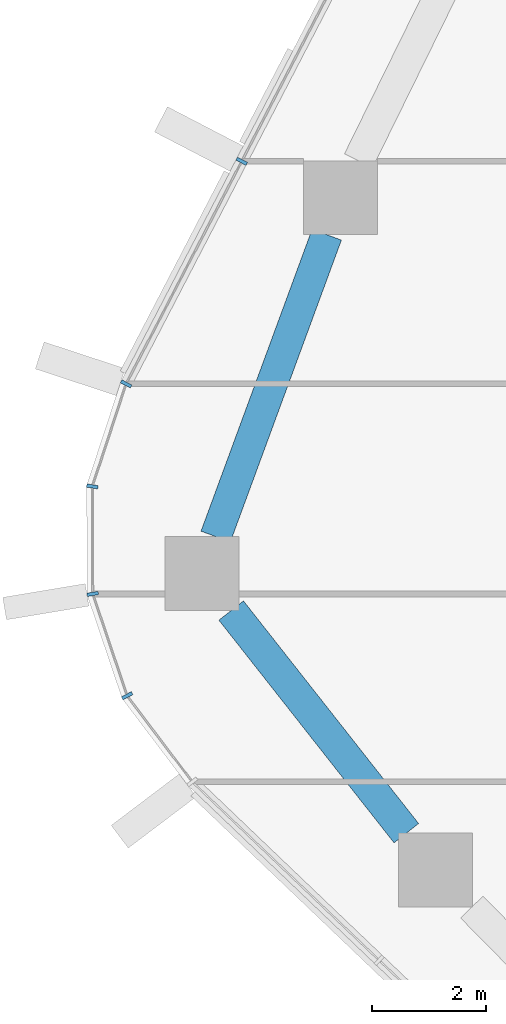
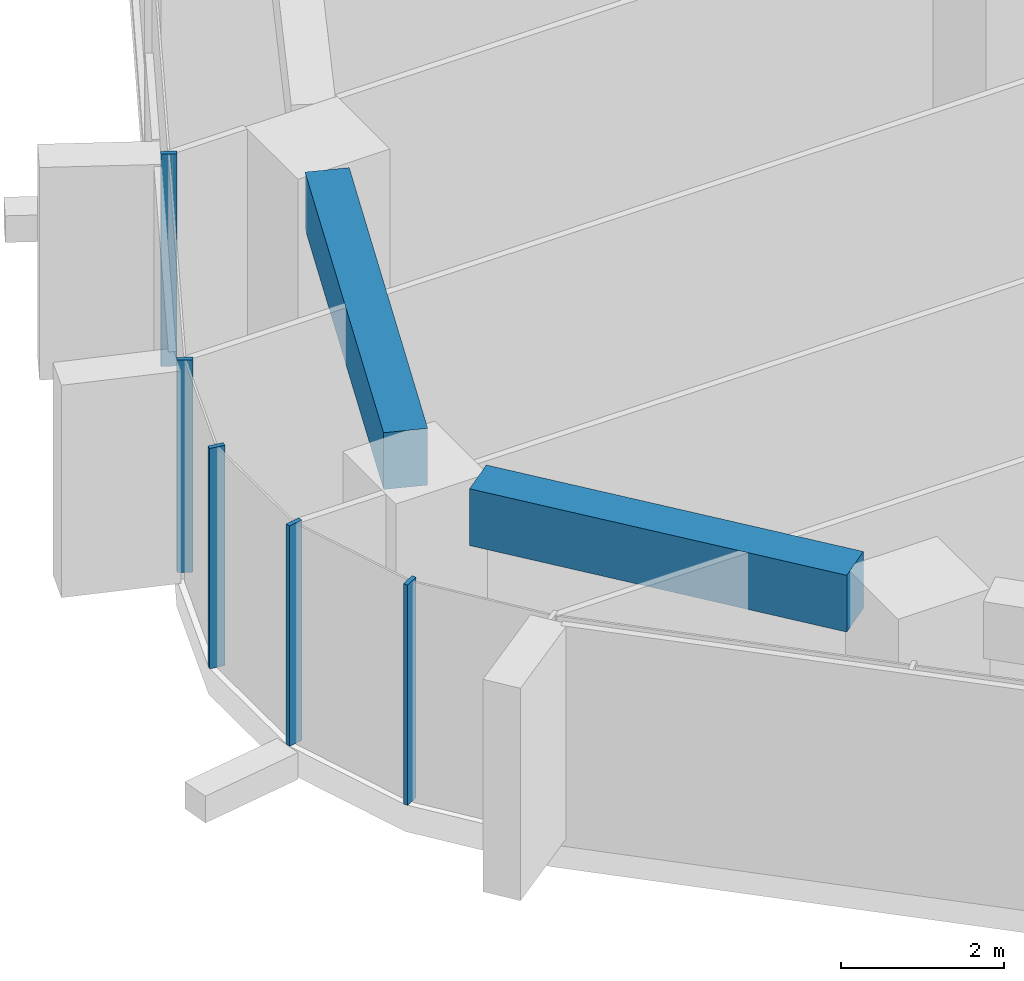
# One storey, part 3 of 24: 5 members, 2 beams, 2 elements without a shape of their own.
"""IFC4 building model written with IfcOpenShell, lengths in metres."""

import ifcopenshell
import ifcopenshell.guid

model = None  # the IFC model being written
_history = None  # IfcOwnerHistory: only IFC2X3 demands one
_inside = {}  # id of a spatial element -> (the spatial element, [elements in it])
_under = {}  # id of a project, library or spatial element -> (it, [spatial elements below it])
_declared = {}  # id of a project -> (the project, [libraries it declares])
_typed = {}  # id of a type object -> (the type object, [elements of that type])
_made_of = {}  # id of a material, layer set ... -> (it, [elements and type objects made of it])


def new_model(schema):
    """Start an empty IFC model of exactly this schema.

    Asked for "IFC4X3", IfcOpenShell would pick the latest addendum, in which some entities
    have other attributes; the version numbers below select the first issue.
    IFC2X3 requires an IfcOwnerHistory on every rooted entity: one is made here for all.
    """
    global model, _history
    if schema == "IFC4X3":
        model = ifcopenshell.file(schema_version=(4, 3, 0, 0))
    else:
        model = ifcopenshell.file(schema=schema)
    _inside.clear()
    _under.clear()
    _declared.clear()
    _typed.clear()
    _made_of.clear()
    _history = None
    if model.schema == "IFC2X3":
        org = make("IfcOrganization", Name="unknown")
        user = make(
            "IfcPersonAndOrganization",
            ThePerson=make("IfcPerson", FamilyName="unknown"),
            TheOrganization=org,
        )
        app = make(
            "IfcApplication",
            ApplicationDeveloper=org,
            Version="unknown",
            ApplicationFullName="unknown",
            ApplicationIdentifier="unknown",
        )
        _history = make(
            "IfcOwnerHistory",
            OwningUser=user,
            OwningApplication=app,
            ChangeAction="ADDED",
            CreationDate=0,
        )
    return model


def make(cls, **values):
    """One entity of the class cls with the attributes given. An attribute that is None is left unset."""
    return model.create_entity(
        cls, **{name: value for name, value in values.items() if value is not None}
    )


def rooted(cls, **values):
    """An entity with a GlobalId (a new one), such as an element, a storey or a relation."""
    return make(cls, GlobalId=ifcopenshell.guid.new(), OwnerHistory=_history, **values)


def si_unit(unit_type, name, prefix=None):
    """IfcSIUnit, for example si_unit("LENGTHUNIT", "METRE", prefix="MILLI")."""
    return make("IfcSIUnit", UnitType=unit_type, Prefix=prefix, Name=name)


def assignment(units):
    """IfcUnitAssignment: the units of a project."""
    return None if units is None else make("IfcUnitAssignment", Units=units)


def point(xyz):
    """IfcCartesianPoint."""
    return None if xyz is None else make("IfcCartesianPoint", Coordinates=xyz)


def direction(xyz):
    """IfcDirection."""
    return None if xyz is None else make("IfcDirection", DirectionRatios=xyz)


def frame(location, z_axis=None, x_axis=None):
    """IfcAxis2Placement3D, a coordinate frame: its origin and axes. An axis left out is left unset."""
    return make(
        "IfcAxis2Placement3D",
        Location=point(location),
        Axis=direction(z_axis),
        RefDirection=direction(x_axis),
    )


def frame_2d(location, x_axis=None):
    """IfcAxis2Placement2D, a coordinate frame in the plane: its origin and x axis."""
    return make(
        "IfcAxis2Placement2D", Location=point(location), RefDirection=direction(x_axis)
    )


def origin():
    """The frame at (0, 0, 0) with its axes left unset."""
    return frame((0.0, 0.0, 0.0))


def origin_2d():
    """The frame at (0, 0) in the plane with its x axis left unset."""
    return frame_2d((0.0, 0.0))


def place(relative_to, where):
    """IfcLocalPlacement: puts the frame where relative to a parent placement (None: the world)."""
    return make(
        "IfcLocalPlacement", PlacementRelTo=relative_to, RelativePlacement=where
    )


def context(
    kind, dimensions, precision=None, world=None, true_north=None, identifier=None
):
    """IfcGeometricRepresentationContext, for example the 3D "Model" context."""
    return make(
        "IfcGeometricRepresentationContext",
        ContextIdentifier=identifier,
        ContextType=kind,
        CoordinateSpaceDimension=dimensions,
        Precision=precision,
        WorldCoordinateSystem=world,
        TrueNorth=true_north,
    )


def subcontext(parent, identifier, kind, view, scale=None):
    """IfcGeometricRepresentationSubContext, for example "Body" below "Model"."""
    return make(
        "IfcGeometricRepresentationSubContext",
        ContextIdentifier=identifier,
        ContextType=kind,
        ParentContext=parent,
        TargetScale=scale,
        TargetView=view,
    )


def project(units=None, contexts=None):
    """IfcProject with its units and contexts."""
    return rooted(
        "IfcProject",
        Name="project",
        RepresentationContexts=contexts,
        UnitsInContext=assignment(units),
    )


def spatial(cls, under=None, at=None, **own):
    """A site, building, storey or space (cls), placed at a placement, below another one or the project."""
    s = rooted(cls, ObjectPlacement=at, **own)
    if under is not None:
        _under.setdefault(under.id(), (under, []))[1].append(s)
    return s


def profile(cls, at=None, kind="AREA", **sizes):
    """A parametric profile (cls). Its sizes go by their IFC names, for example OverallWidth=200.0."""
    return make(cls, ProfileType=kind, Position=at, **sizes)


def rectangle(**sizes):
    """IfcRectangleProfileDef."""
    return profile("IfcRectangleProfileDef", **sizes)


def extrude(swept, where, along, depth):
    """IfcExtrudedAreaSolid: the profile swept, set in the frame where, extruded along a direction by depth."""
    return make(
        "IfcExtrudedAreaSolid",
        SweptArea=swept,
        Position=where,
        ExtrudedDirection=direction(along),
        Depth=depth,
    )


def shape(context_of_items, identifier, shape_type, items):
    """IfcShapeRepresentation: the items that make up one representation, for example the "Body"."""
    return make(
        "IfcShapeRepresentation",
        ContextOfItems=context_of_items,
        RepresentationIdentifier=identifier,
        RepresentationType=shape_type,
        Items=items,
    )


def material(Name=None, Category=None):
    """IfcMaterial."""
    return make("IfcMaterial", Name=Name, Category=Category)


def layer(
    of_material, thickness, ventilated=None, Name=None, Category=None, Priority=None
):
    """IfcMaterialLayer: one layer of a wall or slab, of a material (None: an air gap)."""
    return make(
        "IfcMaterialLayer",
        Material=of_material,
        LayerThickness=thickness,
        IsVentilated=ventilated,
        Name=Name,
        Category=Category,
        Priority=Priority,
    )


def layer_set(layers, Name=None):
    """IfcMaterialLayerSet."""
    return make("IfcMaterialLayerSet", MaterialLayers=layers, LayerSetName=Name)


def material_profile(
    of_material, cross_section, Name=None, Category=None, Priority=None
):
    """IfcMaterialProfile: a cross section and its material."""
    return make(
        "IfcMaterialProfile",
        Name=Name,
        Material=of_material,
        Profile=cross_section,
        Priority=Priority,
        Category=Category,
    )


def profile_set(profiles, Name=None, composite=None):
    """IfcMaterialProfileSet."""
    return make(
        "IfcMaterialProfileSet",
        Name=Name,
        MaterialProfiles=profiles,
        CompositeProfile=composite,
    )


def made_of(thing, what):
    """Note that an element or type object is made of a material, layer set ...; save() writes the relation."""
    if what is not None:
        _made_of.setdefault(what.id(), (what, []))[1].append(thing)
    return thing


def type_object(cls, material=None, **own):
    """A type object (cls), such as IfcWallType, which elements share."""
    return made_of(rooted(cls, **own), material)


def element(
    cls,
    number,
    at=None,
    inside=None,
    cuts=None,
    type_object=None,
    material=None,
    context=None,
    identifier="Body",
    shape_type=None,
    held_by="IfcProductDefinitionShape",
    body=None,
    shapes=None,
    **own,
):
    """One element of the class cls, such as IfcWall. Its Tag is "e" and its number.

    at: its placement. inside: the storey or other place that contains it. cuts: it is an
    opening in that element (IfcRelVoidsElement). A single representation is given by context,
    identifier, shape_type and body (its items); several are given by shapes. held_by: the class
    of the entity that holds the representations. save() writes the other relations.
    """
    e = rooted(cls, Tag="e%d" % number, ObjectPlacement=at, **own)
    if body is not None:
        shapes = [shape(context, identifier, shape_type, body)]
    if shapes is not None:
        e.Representation = make(held_by, Representations=shapes)
    if inside is not None:
        _inside.setdefault(inside.id(), (inside, []))[1].append(e)
    if cuts is not None:
        rooted(
            "IfcRelVoidsElement", RelatingBuildingElement=cuts, RelatedOpeningElement=e
        )
    if type_object is not None:
        _typed.setdefault(type_object.id(), (type_object, []))[1].append(e)
    return made_of(e, material)


def aggregate(whole, parts):
    """IfcRelAggregates: a whole, such as a stair, and the parts it consists of."""
    return rooted("IfcRelAggregates", RelatingObject=whole, RelatedObjects=parts)


def save(model, path):
    """Write the relations noted so far, then the file.

    IfcRelAggregates (storeys below a building ...), IfcRelContainedInSpatialStructure (elements
    in a storey), IfcRelDefinesByType, IfcRelAssociatesMaterial and IfcRelDeclares: one each for
    every whole, place, type object, material and project.
    """
    for whole, parts in _under.values():
        aggregate(whole, parts)
    for where, things in _inside.values():
        rooted(
            "IfcRelContainedInSpatialStructure",
            RelatedElements=things,
            RelatingStructure=where,
        )
    for kind, things in _typed.values():
        rooted("IfcRelDefinesByType", RelatedObjects=things, RelatingType=kind)
    for what, things in _made_of.values():
        rooted("IfcRelAssociatesMaterial", RelatedObjects=things, RelatingMaterial=what)
    for by, libraries in _declared.values():
        rooted("IfcRelDeclares", RelatingContext=by, RelatedDefinitions=libraries)
    model.write(path)


model = new_model("IFC4")

# Units and contexts
model_context = context("Model", 3, precision=1e-05, world=origin(), true_north=direction((0.0, 1.0)))
body_context = subcontext(model_context, "Body", "Model", "MODEL_VIEW")
ifc_project = project(units=[si_unit("LENGTHUNIT", "METRE"), si_unit("AREAUNIT", "SQUARE_METRE"), si_unit("VOLUMEUNIT", "CUBIC_METRE"), si_unit("PLANEANGLEUNIT", "RADIAN"), si_unit("MASSUNIT", "GRAM", prefix="KILO")], contexts=[model_context])

# Site, building, storey
site_placement = place(None, origin())
site = spatial("IfcSite", under=ifc_project, at=site_placement, CompositionType="ELEMENT")
building_placement = place(site_placement, origin())
building = spatial("IfcBuilding", under=site, at=building_placement, Name="Dongbaek Canopy Tower", CompositionType="ELEMENT")
storey_placement = place(building_placement, frame((0.0, 0.0, 110.0)))
storey = spatial("IfcBuildingStorey", under=building, at=storey_placement, Name="L23", CompositionType="ELEMENT", Elevation=110.0)

# Curtain wall, members
ifc_material_1 = material(Name="Aluminium 6063-T6 pale anodised", Category="aluminium")
ifc_layer = layer(ifc_material_1, 0.199951171875)
ifc_layer_set = layer_set([ifc_layer], Name="CW-1 unitised tower curtain wall")
curtain_wall_type = type_object("IfcCurtainWallType", Name="CW-1 unitised tower curtain wall", PredefinedType="NOTDEFINED", material=ifc_layer_set)
curtain_wall_1_placement = place(storey_placement, origin())
curtain_wall_1 = element("IfcCurtainWall", 1, at=curtain_wall_1_placement, inside=storey, type_object=curtain_wall_type, Name="CW-1 curtain wall F2.1", PredefinedType="NOTDEFINED")
ifc_material_2 = material(Name="Aluminium 6063-T6 pale anodised", Category="aluminium")
ifc_material_profile_1 = material_profile(ifc_material_2, rectangle(XDim=0.199951171875, YDim=0.06005859375, at=origin_2d()), Name="CW-1 mullion 60 x 200")
ifc_profile_set_1 = profile_set([ifc_material_profile_1], Name="Aluminium 6063-T6 pale anodised")
member_type = type_object("IfcMemberType", Name="CW-1 mullion 60 x 200", PredefinedType="MULLION", material=ifc_profile_set_1)
member_1_placement = place(storey_placement, frame((-29.428466796875, 0.723876953125, 0.1201171875), z_axis=(0.0, 0.0, 1.0), x_axis=(-0.887462609411, 0.460879720641, 0.0)))
member_1 = element("IfcMember", 2, at=member_1_placement, type_object=member_type, Name="CW-1 mullion F2.1.7", PredefinedType="MULLION", context=body_context, shape_type="SweptSolid", body=[
    extrude(rectangle(XDim=0.199951171875, YDim=0.06005859375, at=origin_2d()), origin(), (0.0, 0.0, 1.0), 3.179931640625),
])
member_2_placement = place(storey_placement, frame((-31.46142578125, -3.19091796875, 0.1201171875), z_axis=(0.0, 0.0, 1.0), x_axis=(-0.887462609411, 0.460879720641, 0.0)))
member_2 = element("IfcMember", 3, at=member_2_placement, type_object=member_type, Name="CW-1 mullion F2.1.8", PredefinedType="MULLION", context=body_context, shape_type="SweptSolid", body=[
    extrude(rectangle(XDim=0.199951171875, YDim=0.06005859375, at=origin_2d()), origin(), (0.0, 0.0, 1.0), 3.179931640625),
])
aggregate(curtain_wall_1, [member_1, member_2])

curtain_wall_2_placement = place(storey_placement, origin())
curtain_wall_2 = element("IfcCurtainWall", 4, at=curtain_wall_2_placement, inside=storey, type_object=curtain_wall_type, Name="CW-1 curtain wall K3.1", PredefinedType="NOTDEFINED")
member_3_placement = place(storey_placement, frame((-32.05517578125, -4.994384765625, 0.0), z_axis=(0.0, 0.0, 1.0), x_axis=(-0.987688354383, 0.156434377986, 0.0)))
member_3 = element("IfcMember", 5, at=member_3_placement, type_object=member_type, Name="CW-1 mullion K3.1.2", PredefinedType="MULLION", context=body_context, shape_type="SweptSolid", body=[
    extrude(rectangle(XDim=0.199951171875, YDim=0.06005859375, at=origin_2d()), origin(), (0.0, 0.0, 1.0), 3.300048828125),
])
member_4_placement = place(storey_placement, frame((-32.0478515625, -6.885009765625, 0.0), z_axis=(0.0, 0.0, 1.0), x_axis=(-0.986446734768, -0.164081807235, 0.0)))
member_4 = element("IfcMember", 6, at=member_4_placement, type_object=member_type, Name="CW-1 mullion K3.1.3", PredefinedType="MULLION", context=body_context, shape_type="SweptSolid", body=[
    extrude(rectangle(XDim=0.199951171875, YDim=0.06005859375, at=origin_2d()), origin(), (0.0, 0.0, 1.0), 3.300048828125),
])
member_5_placement = place(storey_placement, frame((-31.44287109375, -8.67626953125, 0.0), z_axis=(0.0, 0.0, 1.0), x_axis=(-0.883865304838, -0.467741512914, 0.0)))
member_5 = element("IfcMember", 7, at=member_5_placement, type_object=member_type, Name="CW-1 mullion K3.1.4", PredefinedType="MULLION", context=body_context, shape_type="SweptSolid", body=[
    extrude(rectangle(XDim=0.199951171875, YDim=0.06005859375, at=origin_2d()), origin(), (0.0, 0.0, 1.0), 3.300048828125),
])
aggregate(curtain_wall_2, [member_3, member_4, member_5])

# Beams
ifc_material_3 = material(Name="Concrete C80", Category="concrete")
ifc_material_profile_2 = material_profile(ifc_material_3, rectangle(XDim=0.550048828125, YDim=0.85009765625, at=origin_2d()), Name="RC EDGE BEAM 550x850 C80")
ifc_profile_set_2 = profile_set([ifc_material_profile_2], Name="Concrete C80")
beam_type = type_object("IfcBeamType", Name="RC EDGE BEAM 550x850 C80", PredefinedType="BEAM", material=ifc_profile_set_2)
beam_1_placement = place(storey_placement, frame((-26.532470703125, -11.093017578125, 2.875), z_axis=(-0.618340753303, 0.78591011751, 0.0), x_axis=(-0.78591011751, -0.618340753303, 0.0)))
element("IfcBeam", 8, at=beam_1_placement, inside=storey, type_object=beam_type, Name="EDGEBEAM:L23:07", PredefinedType="BEAM", context=body_context, shape_type="SweptSolid", body=[
    extrude(rectangle(XDim=0.550048828125, YDim=0.85009765625, at=origin_2d()), origin(), (0.0, 0.0, 1.0), 4.982666015625),
])
beam_2_placement = place(storey_placement, frame((-29.8857421875, -5.876953125, 2.875), z_axis=(0.345281407117, 0.938499200799, 0.0), x_axis=(-0.938499200799, 0.345281407117, 0.0)))
element("IfcBeam", 9, at=beam_2_placement, inside=storey, type_object=beam_type, Name="EDGEBEAM:L23:08", PredefinedType="BEAM", context=body_context, shape_type="SweptSolid", body=[
    extrude(rectangle(XDim=0.550048828125, YDim=0.85009765625, at=origin_2d()), origin(), (0.0, 0.0, 1.0), 5.657958984375),
])

save(model, "model.ifc")
